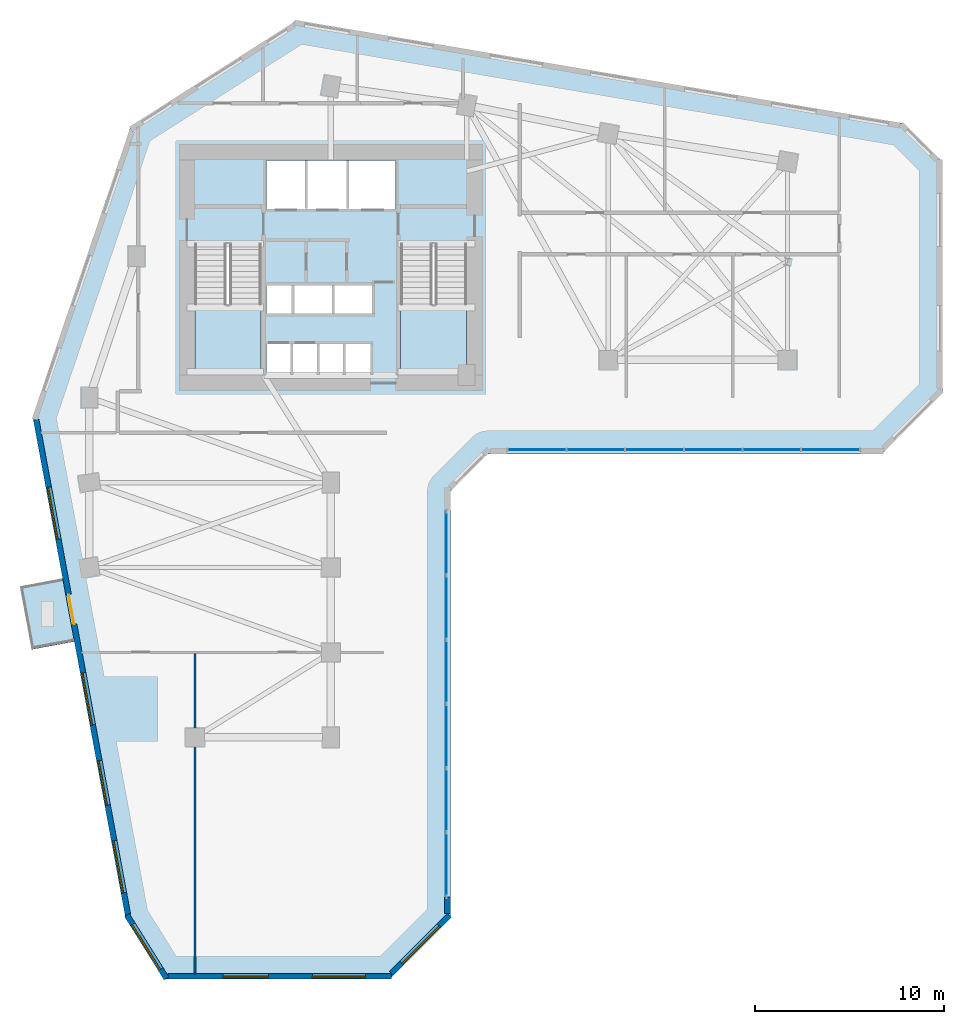
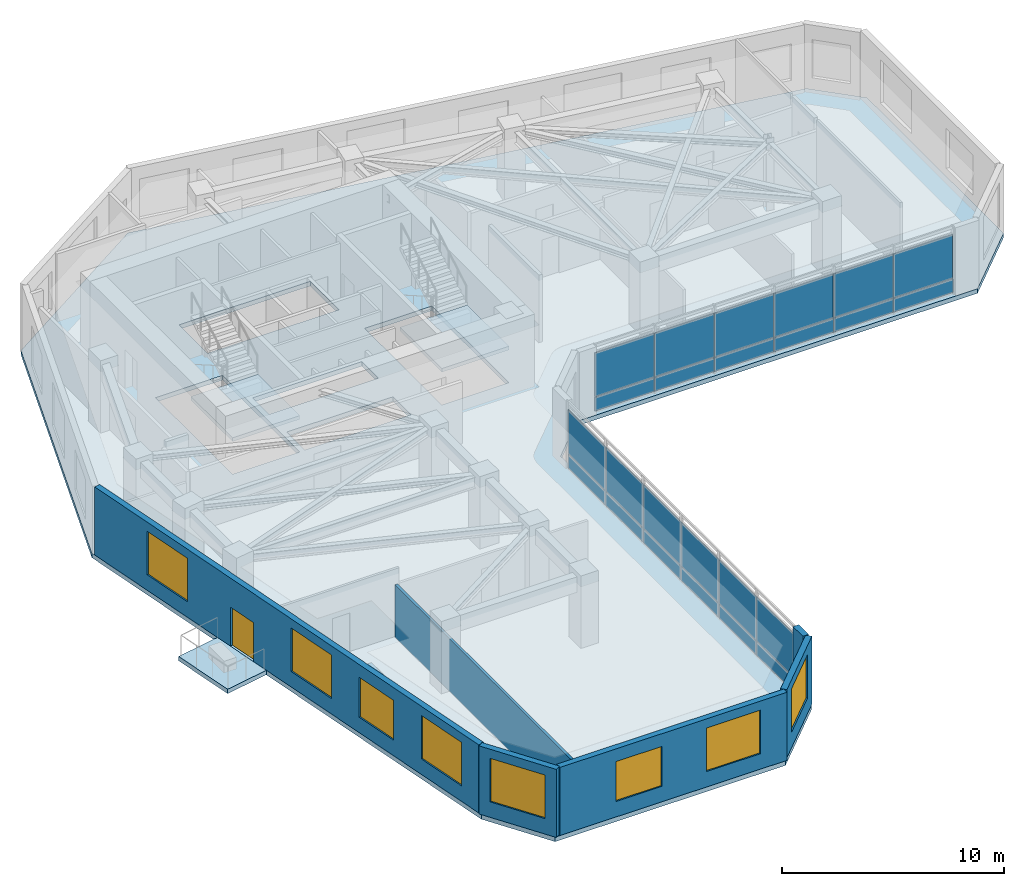
# One storey, part 4 of 9: 24 plates, 8 windows, 6 walls, 4 slabs, 1 door, 9 openings, 4 elements without a shape of their own.
"""IFC4 building model written with IfcOpenShell, lengths in metres."""

from ifc_helpers import new_model, si_unit, direction, frame, frame_2d, origin, place, context, subcontext, project, spatial, polyline, rectangle, outline, extrude, source, transform, mapped, material, layer, layer_set, type_object, element, fill, aggregate, save


model = new_model("IFC4")

# Units and contexts
model_context = context("Model", 3, precision=1e-05, world=origin(), true_north=direction((0.0, 1.0)))
body_context = subcontext(model_context, "Body", "Model", "MODEL_VIEW")
ifc_project = project(units=[si_unit("LENGTHUNIT", "METRE"), si_unit("AREAUNIT", "SQUARE_METRE"), si_unit("VOLUMEUNIT", "CUBIC_METRE"), si_unit("PLANEANGLEUNIT", "RADIAN"), si_unit("MASSUNIT", "GRAM", prefix="KILO")], contexts=[model_context])

# Site, building, storey
site_placement = place(None, origin())
site = spatial("IfcSite", under=ifc_project, at=site_placement, CompositionType="ELEMENT")
building_placement = place(site_placement, origin())
building = spatial("IfcBuilding", under=site, at=building_placement, Name="Calvemar Wedge Station Tower", CompositionType="ELEMENT")
storey_placement = place(building_placement, frame((0.0, 0.0, 71.0)))
storey = spatial("IfcBuildingStorey", under=building, at=storey_placement, Name="L17", CompositionType="ELEMENT", Elevation=71.0)

# Curtain wall, plates
ifc_material_1 = material(Name="Anodised aluminium 6063-T6", Category="aluminium")
curtain_wall_type = type_object("IfcCurtainWallType", Name="CW1", PredefinedType="NOTDEFINED", material=ifc_material_1)
curtain_wall_1_placement = place(storey_placement, origin())
curtain_wall_1 = element("IfcCurtainWall", 1, at=curtain_wall_1_placement, inside=storey, type_object=curtain_wall_type, Name="Storey L17 CW1 Recessed Unitised Curtain Wall 4", PredefinedType="NOTDEFINED")
ifc_material_2 = material(Name="Low-E laminated insulated glass", Category="glass")
ifc_layer_1 = layer(ifc_material_2, 0.028076171875)
ifc_layer_set_1 = layer_set([ifc_layer_1], Name="Low-E laminated insulated glass")
plate_type_1 = type_object("IfcPlateType", Name="CW1-GLZ", PredefinedType="CURTAIN_PANEL", material=ifc_layer_set_1)
plate_1_placement = place(storey_placement, frame((29.91796875, 6.580078125, 0.8701171875), z_axis=(0.0, 0.0, 1.0), x_axis=(0.0, 1.0, 0.0)))
plate_1 = element("IfcPlate", 2, at=plate_1_placement, type_object=plate_type_1, Name="CW1 vision glass panel 1", PredefinedType="CURTAIN_PANEL", context=body_context, shape_type="SweptSolid", body=[
    extrude(rectangle(XDim=3.36865234375, YDim=0.028076171875, at=frame_2d((1.684326171875, 0.0))), origin(), (0.0, 0.0, 1.0), 2.409912109375),
])
plate_2_placement = place(storey_placement, frame((29.91796875, 9.98486328125, 0.8701171875), z_axis=(0.0, 0.0, 1.0), x_axis=(0.0, 1.0, 0.0)))
plate_2 = element("IfcPlate", 3, at=plate_2_placement, type_object=plate_type_1, Name="CW1 vision glass panel 2", PredefinedType="CURTAIN_PANEL", context=body_context, shape_type="SweptSolid", body=[
    extrude(rectangle(XDim=3.36865234375, YDim=0.028076171875, at=frame_2d((1.684326171875, 0.0))), origin(), (0.0, 0.0, 1.0), 2.409912109375),
])
plate_3_placement = place(storey_placement, frame((29.91796875, 13.389404296875, 0.8701171875), z_axis=(0.0, 0.0, 1.0), x_axis=(0.0, 1.0, 0.0)))
plate_3 = element("IfcPlate", 4, at=plate_3_placement, type_object=plate_type_1, Name="CW1 vision glass panel 3", PredefinedType="CURTAIN_PANEL", context=body_context, shape_type="SweptSolid", body=[
    extrude(rectangle(XDim=3.36865234375, YDim=0.028076171875, at=frame_2d((1.684326171875, 0.0))), origin(), (0.0, 0.0, 1.0), 2.409912109375),
])
plate_4_placement = place(storey_placement, frame((29.91796875, 16.794189453125, 0.8701171875), z_axis=(0.0, 0.0, 1.0), x_axis=(0.0, 1.0, 0.0)))
plate_4 = element("IfcPlate", 5, at=plate_4_placement, type_object=plate_type_1, Name="CW1 vision glass panel 4", PredefinedType="CURTAIN_PANEL", context=body_context, shape_type="SweptSolid", body=[
    extrude(rectangle(XDim=3.36865234375, YDim=0.028076171875, at=frame_2d((1.684326171875, 0.0))), origin(), (0.0, 0.0, 1.0), 2.409912109375),
])
plate_5_placement = place(storey_placement, frame((29.91796875, 20.19873046875, 0.8701171875), z_axis=(0.0, 0.0, 1.0), x_axis=(0.0, 1.0, 0.0)))
plate_5 = element("IfcPlate", 6, at=plate_5_placement, type_object=plate_type_1, Name="CW1 vision glass panel 5", PredefinedType="CURTAIN_PANEL", context=body_context, shape_type="SweptSolid", body=[
    extrude(rectangle(XDim=3.36865234375, YDim=0.028076171875, at=frame_2d((1.684326171875, 0.0))), origin(), (0.0, 0.0, 1.0), 2.409912109375),
])
plate_6_placement = place(storey_placement, frame((29.91796875, 23.603515625, 0.8701171875), z_axis=(0.0, 0.0, 1.0), x_axis=(0.0, 1.0, 0.0)))
plate_6 = element("IfcPlate", 7, at=plate_6_placement, type_object=plate_type_1, Name="CW1 vision glass panel 6", PredefinedType="CURTAIN_PANEL", context=body_context, shape_type="SweptSolid", body=[
    extrude(rectangle(XDim=3.36865234375, YDim=0.028076171875, at=frame_2d((1.684326171875, 0.0))), origin(), (0.0, 0.0, 1.0), 2.409912109375),
])

curtain_wall_2_placement = place(storey_placement, origin())
curtain_wall_2 = element("IfcCurtainWall", 8, at=curtain_wall_2_placement, inside=storey, type_object=curtain_wall_type, Name="Storey L17 CW1 Recessed Unitised Curtain Wall 6", PredefinedType="NOTDEFINED")
plate_7_placement = place(storey_placement, frame((33.183837890625, 30.238037109375, 0.8701171875), z_axis=(0.0, 0.0, 1.0), x_axis=(1.0, 0.0, 0.0)))
plate_7 = element("IfcPlate", 9, at=plate_7_placement, type_object=plate_type_1, Name="CW1 vision glass panel 1", PredefinedType="CURTAIN_PANEL", context=body_context, shape_type="SweptSolid", body=[
    extrude(rectangle(XDim=3.076171875, YDim=0.028076171875, at=frame_2d((1.5380859375, 0.0))), origin(), (0.0, 0.0, 1.0), 2.409912109375),
])
plate_8_placement = place(storey_placement, frame((36.2958984375, 30.238037109375, 0.8701171875), z_axis=(0.0, 0.0, 1.0), x_axis=(1.0, 0.0, 0.0)))
plate_8 = element("IfcPlate", 10, at=plate_8_placement, type_object=plate_type_1, Name="CW1 vision glass panel 2", PredefinedType="CURTAIN_PANEL", context=body_context, shape_type="SweptSolid", body=[
    extrude(rectangle(XDim=3.075927734375, YDim=0.028076171875, at=frame_2d((1.5380859375, 0.0))), origin(), (0.0, 0.0, 1.0), 2.409912109375),
])
plate_9_placement = place(storey_placement, frame((39.407958984375, 30.238037109375, 0.8701171875), z_axis=(0.0, 0.0, 1.0), x_axis=(1.0, 0.0, 0.0)))
plate_9 = element("IfcPlate", 11, at=plate_9_placement, type_object=plate_type_1, Name="CW1 vision glass panel 3", PredefinedType="CURTAIN_PANEL", context=body_context, shape_type="SweptSolid", body=[
    extrude(rectangle(XDim=3.075927734375, YDim=0.028076171875, at=frame_2d((1.5380859375, 0.0))), origin(), (0.0, 0.0, 1.0), 2.409912109375),
])
plate_10_placement = place(storey_placement, frame((42.52001953125, 30.238037109375, 0.8701171875), z_axis=(0.0, 0.0, 1.0), x_axis=(1.0, 0.0, 0.0)))
plate_10 = element("IfcPlate", 12, at=plate_10_placement, type_object=plate_type_1, Name="CW1 vision glass panel 4", PredefinedType="CURTAIN_PANEL", context=body_context, shape_type="SweptSolid", body=[
    extrude(rectangle(XDim=3.075927734375, YDim=0.028076171875, at=frame_2d((1.5380859375, 0.0))), origin(), (0.0, 0.0, 1.0), 2.409912109375),
])
plate_11_placement = place(storey_placement, frame((45.6318359375, 30.238037109375, 0.8701171875), z_axis=(0.0, 0.0, 1.0), x_axis=(1.0, 0.0, 0.0)))
plate_11 = element("IfcPlate", 13, at=plate_11_placement, type_object=plate_type_1, Name="CW1 vision glass panel 5", PredefinedType="CURTAIN_PANEL", context=body_context, shape_type="SweptSolid", body=[
    extrude(rectangle(XDim=3.076171875, YDim=0.028076171875, at=frame_2d((1.5380859375, 0.0))), origin(), (0.0, 0.0, 1.0), 2.409912109375),
])
plate_12_placement = place(storey_placement, frame((48.743896484375, 30.238037109375, 0.8701171875), z_axis=(0.0, 0.0, 1.0), x_axis=(1.0, 0.0, 0.0)))
plate_12 = element("IfcPlate", 14, at=plate_12_placement, type_object=plate_type_1, Name="CW1 vision glass panel 6", PredefinedType="CURTAIN_PANEL", context=body_context, shape_type="SweptSolid", body=[
    extrude(rectangle(XDim=3.075927734375, YDim=0.028076171875, at=frame_2d((1.5380859375, 0.0))), origin(), (0.0, 0.0, 1.0), 2.409912109375),
])

# Plate
ifc_material_3 = material(Name="Oxidized bronze aluminium spandrel panel 5005-H24", Category="aluminium")
ifc_layer_2 = layer(ifc_material_3, 0.0400390625)
ifc_layer_set_2 = layer_set([ifc_layer_2], Name="Oxidized bronze aluminium spandrel panel 5005-H24")
plate_type_2 = type_object("IfcPlateType", Name="CW1-SPD", PredefinedType="SHEET", material=ifc_layer_set_2)
plate_13_placement = place(storey_placement, frame((29.91796875, 6.580078125, 0.080078125), z_axis=(0.0, 0.0, 1.0), x_axis=(0.0, 1.0, 0.0)))
plate_13 = element("IfcPlate", 15, at=plate_13_placement, type_object=plate_type_2, Name="CW1 bronze spandrel panel 1", PredefinedType="SHEET", context=body_context, shape_type="SweptSolid", body=[
    extrude(rectangle(XDim=3.36865234375, YDim=0.0400390625, at=frame_2d((1.684326171875, 0.0))), origin(), (0.0, 0.0, 1.0), 0.75),
])

plate_14_placement = place(storey_placement, frame((29.91796875, 9.98486328125, 0.080078125), z_axis=(0.0, 0.0, 1.0), x_axis=(0.0, 1.0, 0.0)))
plate_14 = element("IfcPlate", 16, at=plate_14_placement, type_object=plate_type_2, Name="CW1 bronze spandrel panel 2", PredefinedType="SHEET", context=body_context, shape_type="SweptSolid", body=[
    extrude(rectangle(XDim=3.36865234375, YDim=0.0400390625, at=frame_2d((1.684326171875, 0.0))), origin(), (0.0, 0.0, 1.0), 0.75),
])

plate_15_placement = place(storey_placement, frame((29.91796875, 13.389404296875, 0.080078125), z_axis=(0.0, 0.0, 1.0), x_axis=(0.0, 1.0, 0.0)))
plate_15 = element("IfcPlate", 17, at=plate_15_placement, type_object=plate_type_2, Name="CW1 bronze spandrel panel 3", PredefinedType="SHEET", context=body_context, shape_type="SweptSolid", body=[
    extrude(rectangle(XDim=3.36865234375, YDim=0.0400390625, at=frame_2d((1.684326171875, 0.0))), origin(), (0.0, 0.0, 1.0), 0.75),
])

plate_16_placement = place(storey_placement, frame((29.91796875, 16.794189453125, 0.080078125), z_axis=(0.0, 0.0, 1.0), x_axis=(0.0, 1.0, 0.0)))
plate_16 = element("IfcPlate", 18, at=plate_16_placement, type_object=plate_type_2, Name="CW1 bronze spandrel panel 4", PredefinedType="SHEET", context=body_context, shape_type="SweptSolid", body=[
    extrude(rectangle(XDim=3.36865234375, YDim=0.0400390625, at=frame_2d((1.684326171875, 0.0))), origin(), (0.0, 0.0, 1.0), 0.75),
])

plate_17_placement = place(storey_placement, frame((29.91796875, 20.19873046875, 0.080078125), z_axis=(0.0, 0.0, 1.0), x_axis=(0.0, 1.0, 0.0)))
plate_17 = element("IfcPlate", 19, at=plate_17_placement, type_object=plate_type_2, Name="CW1 bronze spandrel panel 5", PredefinedType="SHEET", context=body_context, shape_type="SweptSolid", body=[
    extrude(rectangle(XDim=3.36865234375, YDim=0.0400390625, at=frame_2d((1.684326171875, 0.0))), origin(), (0.0, 0.0, 1.0), 0.75),
])

plate_18_placement = place(storey_placement, frame((29.91796875, 23.603515625, 0.080078125), z_axis=(0.0, 0.0, 1.0), x_axis=(0.0, 1.0, 0.0)))
plate_18 = element("IfcPlate", 20, at=plate_18_placement, type_object=plate_type_2, Name="CW1 bronze spandrel panel 6", PredefinedType="SHEET", context=body_context, shape_type="SweptSolid", body=[
    extrude(rectangle(XDim=3.36865234375, YDim=0.0400390625, at=frame_2d((1.684326171875, 0.0))), origin(), (0.0, 0.0, 1.0), 0.75),
])

aggregate(curtain_wall_1, [plate_13, plate_1, plate_14, plate_2, plate_15, plate_3, plate_16, plate_4, plate_17, plate_5, plate_18, plate_6])

plate_19_placement = place(storey_placement, frame((33.183837890625, 30.238037109375, 0.080078125), z_axis=(0.0, 0.0, 1.0), x_axis=(1.0, 0.0, 0.0)))
plate_19 = element("IfcPlate", 21, at=plate_19_placement, type_object=plate_type_2, Name="CW1 bronze spandrel panel 1", PredefinedType="SHEET", context=body_context, shape_type="SweptSolid", body=[
    extrude(rectangle(XDim=3.076171875, YDim=0.0400390625, at=frame_2d((1.5380859375, 0.0))), origin(), (0.0, 0.0, 1.0), 0.75),
])

plate_20_placement = place(storey_placement, frame((36.2958984375, 30.238037109375, 0.080078125), z_axis=(0.0, 0.0, 1.0), x_axis=(1.0, 0.0, 0.0)))
plate_20 = element("IfcPlate", 22, at=plate_20_placement, type_object=plate_type_2, Name="CW1 bronze spandrel panel 2", PredefinedType="SHEET", context=body_context, shape_type="SweptSolid", body=[
    extrude(rectangle(XDim=3.075927734375, YDim=0.0400390625, at=frame_2d((1.5380859375, 0.0))), origin(), (0.0, 0.0, 1.0), 0.75),
])

plate_21_placement = place(storey_placement, frame((39.407958984375, 30.238037109375, 0.080078125), z_axis=(0.0, 0.0, 1.0), x_axis=(1.0, 0.0, 0.0)))
plate_21 = element("IfcPlate", 23, at=plate_21_placement, type_object=plate_type_2, Name="CW1 bronze spandrel panel 3", PredefinedType="SHEET", context=body_context, shape_type="SweptSolid", body=[
    extrude(rectangle(XDim=3.075927734375, YDim=0.0400390625, at=frame_2d((1.5380859375, 0.0))), origin(), (0.0, 0.0, 1.0), 0.75),
])

plate_22_placement = place(storey_placement, frame((42.52001953125, 30.238037109375, 0.080078125), z_axis=(0.0, 0.0, 1.0), x_axis=(1.0, 0.0, 0.0)))
plate_22 = element("IfcPlate", 24, at=plate_22_placement, type_object=plate_type_2, Name="CW1 bronze spandrel panel 4", PredefinedType="SHEET", context=body_context, shape_type="SweptSolid", body=[
    extrude(rectangle(XDim=3.075927734375, YDim=0.0400390625, at=frame_2d((1.5380859375, 0.0))), origin(), (0.0, 0.0, 1.0), 0.75),
])

plate_23_placement = place(storey_placement, frame((45.6318359375, 30.238037109375, 0.080078125), z_axis=(0.0, 0.0, 1.0), x_axis=(1.0, 0.0, 0.0)))
plate_23 = element("IfcPlate", 25, at=plate_23_placement, type_object=plate_type_2, Name="CW1 bronze spandrel panel 5", PredefinedType="SHEET", context=body_context, shape_type="SweptSolid", body=[
    extrude(rectangle(XDim=3.076171875, YDim=0.0400390625, at=frame_2d((1.5380859375, 0.0))), origin(), (0.0, 0.0, 1.0), 0.75),
])

plate_24_placement = place(storey_placement, frame((48.743896484375, 30.238037109375, 0.080078125), z_axis=(0.0, 0.0, 1.0), x_axis=(1.0, 0.0, 0.0)))
plate_24 = element("IfcPlate", 26, at=plate_24_placement, type_object=plate_type_2, Name="CW1 bronze spandrel panel 6", PredefinedType="SHEET", context=body_context, shape_type="SweptSolid", body=[
    extrude(rectangle(XDim=3.075927734375, YDim=0.0400390625, at=frame_2d((1.5380859375, 0.0))), origin(), (0.0, 0.0, 1.0), 0.75),
])

aggregate(curtain_wall_2, [plate_19, plate_7, plate_20, plate_8, plate_21, plate_9, plate_22, plate_10, plate_23, plate_11, plate_24, plate_12])

# Stair, slab
ifc_material_4 = material(Name="Concrete C45", Category="concrete")
stair_type = type_object("IfcStairType", Name="ST-TYPE-4000", PredefinedType="HALF_TURN_STAIR", material=ifc_material_4)
stair_1_placement = place(storey_placement, origin())
stair_1 = element("IfcStair", 27, at=stair_1_placement, inside=storey, type_object=stair_type, Name="L17 Pressurized Core Exit Stair ST-C1", PredefinedType="HALF_TURN_STAIR")
ifc_layer_3 = layer(ifc_material_4, 0.199951171875)
ifc_layer_set_3 = layer_set([ifc_layer_3], Name="Concrete C45")
slab_type_1 = type_object("IfcSlabType", Name="SL-STAIR-LND-200", PredefinedType="LANDING", material=ifc_layer_set_3)
slab_1_placement = place(storey_placement, frame((0.0, 0.0, 1.800048828125)))
slab_1 = element("IfcSlab", 28, at=slab_1_placement, type_object=slab_type_1, Name="ST-C1 landing 1", PredefinedType="LANDING", context=body_context, shape_type="SweptSolid", body=[
    extrude(outline(polyline([(16.60009765625, 37.9599609375), (16.60009765625, 34.199951171875), (20.10009765625, 34.199951171875), (20.10009765625, 37.9599609375), (16.60009765625, 37.9599609375)])), origin(), (0.0, 0.0, 1.0), 0.199951171875),
])
aggregate(stair_1, [slab_1])

stair_2_placement = place(storey_placement, origin())
stair_2 = element("IfcStair", 29, at=stair_2_placement, inside=storey, type_object=stair_type, Name="L17 Pressurized Core Exit Stair ST-C2", PredefinedType="HALF_TURN_STAIR")
slab_2_placement = place(storey_placement, frame((0.0, 0.0, 1.800048828125)))
slab_2 = element("IfcSlab", 30, at=slab_2_placement, type_object=slab_type_1, Name="ST-C2 landing 1", PredefinedType="LANDING", context=body_context, shape_type="SweptSolid", body=[
    extrude(outline(polyline([(27.5, 37.9599609375), (27.5, 34.199951171875), (31.0, 34.199951171875), (31.0, 37.9599609375), (27.5, 37.9599609375)])), origin(), (0.0, 0.0, 1.0), 0.199951171875),
])
aggregate(stair_2, [slab_2])

# Slabs
ifc_layer_4 = layer(ifc_material_4, 0.239990234375)
ifc_layer_set_4 = layer_set([ifc_layer_4], Name="Concrete C45")
slab_type_2 = type_object("IfcSlabType", Name="SL-TERR-240", PredefinedType="FLOOR", material=ifc_layer_set_4)
slab_3_placement = place(storey_placement, frame((0.0, 0.0, -0.239990234375)))
element("IfcSlab", 31, at=slab_3_placement, inside=storey, type_object=slab_type_2, Name="Storey L17 Planted Spiral Terrace Slab", PredefinedType="FLOOR", context=body_context, shape_type="SweptSolid", body=[
    extrude(outline(polyline([(9.589111328125, 23.422119140625), (7.326904296875, 23.0029296875), (7.947021484375, 19.658935546875), (10.208984375, 20.077880859375), (9.589111328125, 23.422119140625)])), origin(), (0.0, 0.0, 1.0), 0.239990234375),
])
ifc_material_5 = material(Name="Concrete C50", Category="concrete")
ifc_layer_5 = layer(ifc_material_5, 0.25)
ifc_layer_set_5 = layer_set([ifc_layer_5], Name="Concrete C50")
slab_type_3 = type_object("IfcSlabType", Name="SL-TYP-250", PredefinedType="FLOOR", material=ifc_layer_set_5)
slab_4_placement = place(storey_placement, frame((0.0, 0.0, -0.25)))
element("IfcSlab", 32, at=slab_4_placement, inside=storey, type_object=slab_type_3, Name="Storey L17 Structural Floor Slab", PredefinedType="FLOOR", context=body_context, shape_type="SweptSolid", body=[
    extrude(outline(polyline([(8.0, 32.0), (12.927978515625, 5.39990234375), (14.927978515625, 2.199951171875), (26.927978515625, 2.199951171875), (30.1279296875, 5.39990234375), (30.1279296875, 28.028076171875), (32.1279296875, 30.028076171875), (53.0, 30.028076171875), (56.199951171875, 33.22802734375), (56.199951171875, 45.528076171875), (54.199951171875, 47.528076171875), (22.0, 53.0), (13.199951171875, 47.39990234375), (8.0, 32.0)]), holes=[polyline([(21.739990234375, 35.85009765625), (21.72998046875, 35.85009765625), (20.3798828125, 35.85009765625), (20.3798828125, 34.219970703125), (21.72998046875, 34.219970703125), (21.739990234375, 34.219970703125), (23.1201171875, 34.219970703125), (23.1298828125, 34.219970703125), (24.510009765625, 34.219970703125), (24.52001953125, 34.219970703125), (25.909912109375, 34.219970703125), (25.909912109375, 35.85009765625), (24.52001953125, 35.85009765625), (24.510009765625, 35.85009765625), (23.1298828125, 35.85009765625), (23.1201171875, 35.85009765625), (21.739990234375, 35.85009765625)]), polyline([(16.60009765625, 41.14990234375), (16.60009765625, 34.199951171875), (20.10009765625, 34.199951171875), (20.10009765625, 41.14990234375), (16.60009765625, 41.14990234375)]), polyline([(27.5, 34.199951171875), (31.0, 34.199951171875), (31.0, 41.14990234375), (27.5, 41.14990234375), (27.5, 34.199951171875)]), polyline([(21.7900390625, 37.449951171875), (21.800048828125, 37.449951171875), (23.929931640625, 37.449951171875), (23.93994140625, 37.449951171875), (26.080078125, 37.449951171875), (26.080078125, 38.949951171875), (23.93994140625, 38.949951171875), (23.929931640625, 38.949951171875), (21.800048828125, 38.949951171875), (21.7900390625, 38.949951171875), (20.3798828125, 38.949951171875), (20.3798828125, 37.449951171875), (21.7900390625, 37.449951171875)]), polyline([(20.3798828125, 43.0), (27.219970703125, 43.0), (27.219970703125, 45.580078125), (20.3798828125, 45.580078125), (20.3798828125, 43.0)])]), origin(), (0.0, 0.0, 1.0), 0.25),
])

# Wall, opening, window
ifc_material_6 = material(Name="Precast concrete C45", Category="concrete")
ifc_layer_6 = layer(ifc_material_6, 0.300048828125)
ifc_layer_set_6 = layer_set([ifc_layer_6], Name="Precast concrete C45")
wall_type_1 = type_object("IfcWallType", Name="W-EXT-GFRC-300", PredefinedType="SOLIDWALL", material=ifc_layer_set_6)
wall_1_placement = place(storey_placement, frame((12.99072265625, 5.58251953125, 0.0), z_axis=(0.0, 0.0, 1.0), x_axis=(0.530015557218, -0.847987918019, 0.0)))
wall_1 = element("IfcWall", 33, at=wall_1_placement, inside=storey, type_object=wall_type_1, Name="Storey L17 Bronze GFRC Exterior Wall 1", PredefinedType="SOLIDWALL", context=body_context, shape_type="SweptSolid", body=[
    extrude(rectangle(XDim=3.9619140625, YDim=0.300048828125, at=frame_2d((1.98095703125, 0.0))), origin(), (0.0, 0.0, 1.0), 3.75),
])
shared_shape_1 = source(origin(), body_context, "Body", "SweptSolid", [
    extrude(rectangle(XDim=2.800048828125, YDim=2.39990234375, at=frame_2d((1.39990234375, 1.199951171875))), frame((0.0, 0.16015625, 0.0), z_axis=(0.0, -1.0, 0.0), x_axis=(1.0, 0.0, 0.0)), (0.0, 0.0, 1.0), 0.320068359375),
])
opening_1_placement = place(wall_1_placement, frame((0.5810546875, 0.0, 0.85009765625)))
opening_1 = element("IfcOpeningElement", 34, at=opening_1_placement, cuts=wall_1, Name="Opening W6", PredefinedType="OPENING", context=body_context, shape_type="MappedRepresentation", body=[
    mapped(shared_shape_1, transform((0.0, 0.0, 0.0), scale=1.0)),
])
window_type_1 = type_object("IfcWindowType", Name="WIN-EXT-6", PartitioningType="SINGLE_PANEL", PredefinedType="WINDOW", material=ifc_material_2)
shared_shape_2 = source(origin(), body_context, "Body", "SweptSolid", [
    extrude(rectangle(XDim=2.800048828125, YDim=2.39990234375, at=frame_2d((1.39990234375, 1.199951171875))), frame((0.0, -0.014892578125, 0.0), z_axis=(0.0, -1.0, 0.0), x_axis=(1.0, 0.0, 0.0)), (0.0, 0.0, 1.0), 0.06005859375),
])
window_1_placement = place(opening_1_placement, origin())
window_1 = element("IfcWindow", 35, at=window_1_placement, inside=storey, type_object=window_type_1, Name="Storey L17 Recessed Window 1.1", OverallHeight=2.39990234375, OverallWidth=2.800048828125, PartitioningType="SINGLE_PANEL", PredefinedType="WINDOW", context=body_context, shape_type="MappedRepresentation", body=[
    mapped(shared_shape_2, transform((0.0, 0.0, 0.0), scale=1.0)),
])
fill(opening_1, window_1)

# Wall, openings, windows
wall_2_placement = place(storey_placement, frame((15.173828125, 2.35009765625, 0.0), z_axis=(0.0, 0.0, 1.0), x_axis=(1.0, 0.0, 0.0)))
wall_2 = element("IfcWall", 36, at=wall_2_placement, inside=storey, type_object=wall_type_1, Name="Storey L17 Bronze GFRC Exterior Wall 2", PredefinedType="SOLIDWALL", context=body_context, shape_type="SweptSolid", body=[
    extrude(rectangle(XDim=11.842041015625, YDim=0.300048828125, at=frame_2d((5.9208984375, 0.0))), origin(), (0.0, 0.0, 1.0), 3.75),
])
shared_shape_3 = source(origin(), body_context, "Body", "SweptSolid", [
    extrude(rectangle(XDim=2.39990234375, YDim=2.199951171875, at=frame_2d((1.199951171875, 1.10009765625))), frame((0.0, 0.16015625, 0.0), z_axis=(0.0, -1.0, 0.0), x_axis=(1.0, 0.0, 0.0)), (0.0, 0.0, 1.0), 0.320068359375),
])
opening_2_placement = place(wall_2_placement, frame((2.9150390625, 0.0, 0.85009765625)))
opening_2 = element("IfcOpeningElement", 37, at=opening_2_placement, cuts=wall_2, Name="Opening W1", PredefinedType="OPENING", context=body_context, shape_type="MappedRepresentation", body=[
    mapped(shared_shape_3, transform((0.0, 0.0, 0.0), scale=1.0)),
])
opening_3_placement = place(wall_2_placement, frame((7.653076171875, 0.0, 0.85009765625)))
opening_3 = element("IfcOpeningElement", 38, at=opening_3_placement, cuts=wall_2, Name="Opening W6", PredefinedType="OPENING", context=body_context, shape_type="MappedRepresentation", body=[
    mapped(shared_shape_1, transform((0.0, 0.0, 0.0), scale=1.0)),
])
window_2_placement = place(opening_3_placement, origin())
window_2 = element("IfcWindow", 39, at=window_2_placement, inside=storey, type_object=window_type_1, Name="Storey L17 Recessed Window 2.2", OverallHeight=2.39990234375, OverallWidth=2.800048828125, PartitioningType="SINGLE_PANEL", PredefinedType="WINDOW", context=body_context, shape_type="MappedRepresentation", body=[
    mapped(shared_shape_2, transform((0.0, 0.0, 0.0), scale=1.0)),
])
fill(opening_3, window_2)
window_type_2 = type_object("IfcWindowType", Name="WIN-EXT-1", PartitioningType="SINGLE_PANEL", PredefinedType="WINDOW", material=ifc_material_2)
shared_shape_4 = source(origin(), body_context, "Body", "SweptSolid", [
    extrude(rectangle(XDim=2.39990234375, YDim=2.199951171875, at=frame_2d((1.199951171875, 1.10009765625))), frame((0.0, -0.014892578125, 0.0), z_axis=(0.0, -1.0, 0.0), x_axis=(1.0, 0.0, 0.0)), (0.0, 0.0, 1.0), 0.06005859375),
])
window_3_placement = place(opening_2_placement, origin())
window_3 = element("IfcWindow", 40, at=window_3_placement, inside=storey, type_object=window_type_2, Name="Storey L17 Recessed Window 2.1", OverallHeight=2.199951171875, OverallWidth=2.39990234375, PartitioningType="SINGLE_PANEL", PredefinedType="WINDOW", context=body_context, shape_type="MappedRepresentation", body=[
    mapped(shared_shape_4, transform((0.0, 0.0, 0.0), scale=1.0)),
])
fill(opening_2, window_3)

# Wall, opening, window
wall_3_placement = place(storey_placement, frame((27.00390625, 2.488037109375, 0.0), z_axis=(0.0, 0.0, 1.0), x_axis=(0.707106781187, 0.707106781187, 0.0)))
wall_3 = element("IfcWall", 41, at=wall_3_placement, inside=storey, type_object=wall_type_1, Name="Storey L17 Bronze GFRC Exterior Wall 3", PredefinedType="SOLIDWALL", context=body_context, shape_type="SweptSolid", body=[
    extrude(rectangle(XDim=4.35595703125, YDim=0.300048828125, at=frame_2d((2.177978515625, 0.0))), origin(), (0.0, 0.0, 1.0), 3.75),
])
opening_4_placement = place(wall_3_placement, frame((0.778076171875, 0.0, 0.85009765625)))
opening_4 = element("IfcOpeningElement", 42, at=opening_4_placement, cuts=wall_3, Name="Opening W6", PredefinedType="OPENING", context=body_context, shape_type="MappedRepresentation", body=[
    mapped(shared_shape_1, transform((0.0, 0.0, 0.0), scale=1.0)),
])
window_4_placement = place(opening_4_placement, origin())
window_4 = element("IfcWindow", 43, at=window_4_placement, inside=storey, type_object=window_type_1, Name="Storey L17 Recessed Window 3.1", OverallHeight=2.39990234375, OverallWidth=2.800048828125, PartitioningType="SINGLE_PANEL", PredefinedType="WINDOW", context=body_context, shape_type="MappedRepresentation", body=[
    mapped(shared_shape_2, transform((0.0, 0.0, 0.0), scale=1.0)),
])
fill(opening_4, window_4)

# Wall
wall_4_placement = place(storey_placement, frame((29.97802734375, 5.6572265625, 0.0), z_axis=(0.0, 0.0, 1.0), x_axis=(0.0, 1.0, 0.0)))
element("IfcWall", 44, at=wall_4_placement, inside=storey, type_object=wall_type_1, Name="Storey L17 Bronze GFRC Corner Pier 4A", PredefinedType="SOLIDWALL", context=body_context, shape_type="SweptSolid", body=[
    extrude(rectangle(XDim=0.8798828125, YDim=0.300048828125, at=frame_2d((0.43994140625, 0.0))), origin(), (0.0, 0.0, 1.0), 3.75),
])

# Wall, openings, windows, door
wall_5_placement = place(storey_placement, frame((8.183349609375, 31.83349609375, 0.0), z_axis=(0.0, 0.0, 1.0), x_axis=(0.18216364648, -0.983268226834, 0.0)))
wall_5 = element("IfcWall", 45, at=wall_5_placement, inside=storey, type_object=wall_type_1, Name="Storey L17 Bronze GFRC Exterior Wall 13", PredefinedType="SOLIDWALL", context=body_context, shape_type="SweptSolid", body=[
    extrude(rectangle(XDim=26.678466796875, YDim=0.300048828125, at=frame_2d((13.33935546875, 0.0))), origin(), (0.0, 0.0, 1.0), 3.75),
])
shared_shape_5 = source(origin(), body_context, "Body", "SweptSolid", [
    extrude(rectangle(XDim=1.60009765625, YDim=2.14990234375, at=frame_2d((0.800048828125, 1.074951171875))), frame((0.0, 0.16015625, 0.0), z_axis=(0.0, -1.0, 0.0), x_axis=(1.0, 0.0, 0.0)), (0.0, 0.0, 1.0), 0.320068359375),
])
opening_5_placement = place(wall_5_placement, frame((9.427001953125, 0.0, 0.0)))
opening_5 = element("IfcOpeningElement", 46, at=opening_5_placement, cuts=wall_5, Name="Opening DT1", PredefinedType="OPENING", context=body_context, shape_type="MappedRepresentation", body=[
    mapped(shared_shape_5, transform((0.0, 0.0, 0.0), scale=1.0)),
])
opening_6_placement = place(wall_5_placement, frame((3.64208984375, 0.0, 0.85009765625)))
opening_6 = element("IfcOpeningElement", 47, at=opening_6_placement, cuts=wall_5, Name="Opening W6", PredefinedType="OPENING", context=body_context, shape_type="MappedRepresentation", body=[
    mapped(shared_shape_1, transform((0.0, 0.0, 0.0), scale=1.0)),
])
opening_7_placement = place(wall_5_placement, frame((13.64697265625, 0.0, 0.85009765625)))
opening_7 = element("IfcOpeningElement", 48, at=opening_7_placement, cuts=wall_5, Name="Opening W6", PredefinedType="OPENING", context=body_context, shape_type="MappedRepresentation", body=[
    mapped(shared_shape_1, transform((0.0, 0.0, 0.0), scale=1.0)),
])
opening_8_placement = place(wall_5_placement, frame((18.3720703125, 0.0, 0.85009765625)))
opening_8 = element("IfcOpeningElement", 49, at=opening_8_placement, cuts=wall_5, Name="Opening W1", PredefinedType="OPENING", context=body_context, shape_type="MappedRepresentation", body=[
    mapped(shared_shape_3, transform((0.0, 0.0, 0.0), scale=1.0)),
])
opening_9_placement = place(wall_5_placement, frame((22.696044921875, 0.0, 0.85009765625)))
opening_9 = element("IfcOpeningElement", 50, at=opening_9_placement, cuts=wall_5, Name="Opening W6", PredefinedType="OPENING", context=body_context, shape_type="MappedRepresentation", body=[
    mapped(shared_shape_1, transform((0.0, 0.0, 0.0), scale=1.0)),
])
window_5_placement = place(opening_6_placement, origin())
window_5 = element("IfcWindow", 51, at=window_5_placement, inside=storey, type_object=window_type_1, Name="Storey L17 Recessed Window 13.1", OverallHeight=2.39990234375, OverallWidth=2.800048828125, PartitioningType="SINGLE_PANEL", PredefinedType="WINDOW", context=body_context, shape_type="MappedRepresentation", body=[
    mapped(shared_shape_2, transform((0.0, 0.0, 0.0), scale=1.0)),
])
fill(opening_6, window_5)
window_6_placement = place(opening_7_placement, origin())
window_6 = element("IfcWindow", 52, at=window_6_placement, inside=storey, type_object=window_type_1, Name="Storey L17 Recessed Window 13.2", OverallHeight=2.39990234375, OverallWidth=2.800048828125, PartitioningType="SINGLE_PANEL", PredefinedType="WINDOW", context=body_context, shape_type="MappedRepresentation", body=[
    mapped(shared_shape_2, transform((0.0, 0.0, 0.0), scale=1.0)),
])
fill(opening_7, window_6)
window_7_placement = place(opening_9_placement, origin())
window_7 = element("IfcWindow", 53, at=window_7_placement, inside=storey, type_object=window_type_1, Name="Storey L17 Recessed Window 13.4", OverallHeight=2.39990234375, OverallWidth=2.800048828125, PartitioningType="SINGLE_PANEL", PredefinedType="WINDOW", context=body_context, shape_type="MappedRepresentation", body=[
    mapped(shared_shape_2, transform((0.0, 0.0, 0.0), scale=1.0)),
])
fill(opening_9, window_7)
window_8_placement = place(opening_8_placement, origin())
window_8 = element("IfcWindow", 54, at=window_8_placement, inside=storey, type_object=window_type_2, Name="Storey L17 Recessed Window 13.3", OverallHeight=2.199951171875, OverallWidth=2.39990234375, PartitioningType="SINGLE_PANEL", PredefinedType="WINDOW", context=body_context, shape_type="MappedRepresentation", body=[
    mapped(shared_shape_4, transform((0.0, 0.0, 0.0), scale=1.0)),
])
fill(opening_8, window_8)
door_type = type_object("IfcDoorType", Name="DR-TERR-1600", OperationType="DOUBLE_DOOR_SLIDING", PredefinedType="DOOR", material=ifc_material_1)
shared_shape_6 = source(origin(), body_context, "Body", "SweptSolid", [
    extrude(rectangle(XDim=1.60009765625, YDim=2.14990234375, at=frame_2d((0.800048828125, 1.074951171875))), frame((0.0, 0.02490234375, 0.0), z_axis=(0.0, -1.0, 0.0), x_axis=(1.0, 0.0, 0.0)), (0.0, 0.0, 1.0), 0.050048828125),
])
door_placement = place(opening_5_placement, origin())
door = element("IfcDoor", 55, at=door_placement, inside=storey, type_object=door_type, Name="Storey L17 Spiral Terrace Door", OperationType="DOUBLE_DOOR_SLIDING", OverallHeight=2.14990234375, OverallWidth=1.60009765625, PredefinedType="DOOR", context=body_context, shape_type="MappedRepresentation", body=[
    mapped(shared_shape_6, transform((0.0, 0.0, 0.0), scale=1.0)),
])
fill(opening_5, door)

# Wall
ifc_material_7 = material(Name="Insulated acoustic gypsum stud partition")
ifc_layer_7 = layer(ifc_material_7, 0.125)
ifc_layer_set_7 = layer_set([ifc_layer_7], Name="Insulated acoustic gypsum stud partition")
wall_type_2 = type_object("IfcWallType", Name="W-PART-125", PredefinedType="PARTITIONING", material=ifc_layer_set_7)
wall_6_placement = place(storey_placement, frame((16.60009765625, 19.43359375, 0.0), z_axis=(0.0, 0.0, 1.0), x_axis=(0.0, -1.0, 0.0)))
element("IfcWall", 56, at=wall_6_placement, inside=storey, type_object=wall_type_2, Name="Storey L17 Interior Partition WL-L17-033", PredefinedType="PARTITIONING", context=body_context, shape_type="SweptSolid", body=[
    extrude(rectangle(XDim=16.968505859375, YDim=0.125, at=frame_2d((8.484375, 0.0))), origin(), (0.0, 0.0, 1.0), 2.89208984375),
])

save(model, "model.ifc")
